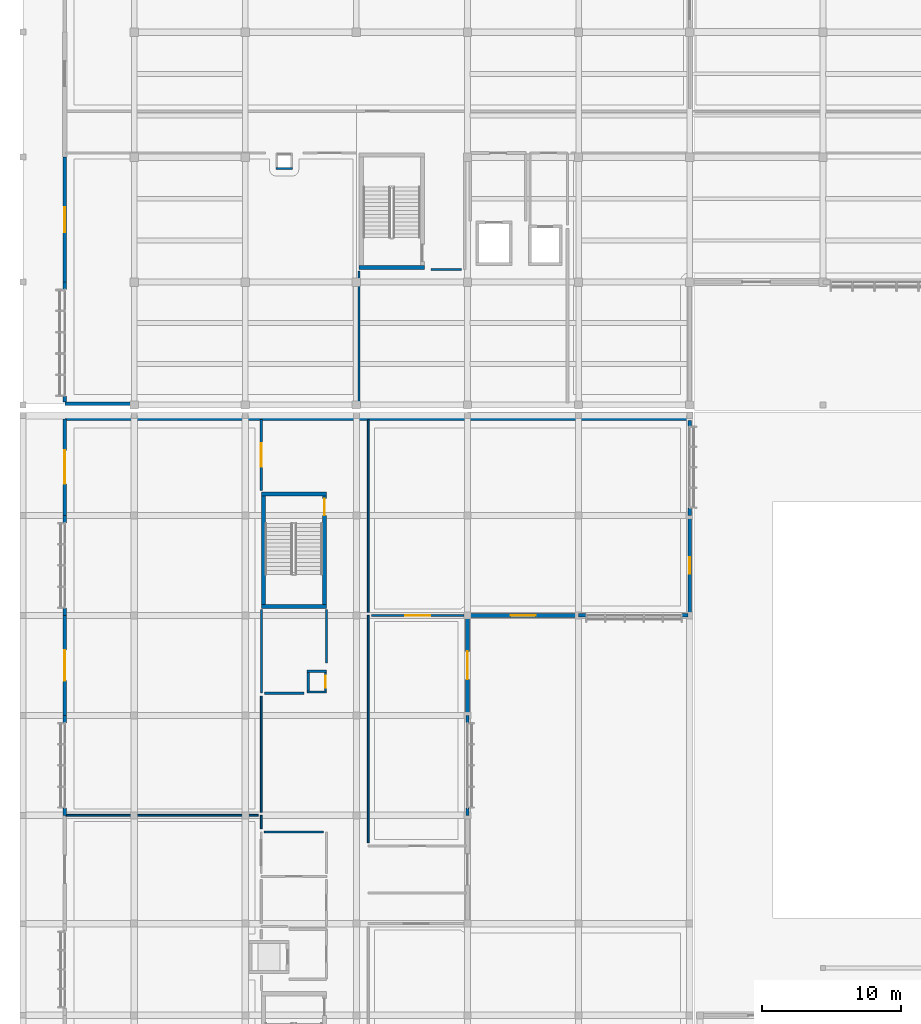
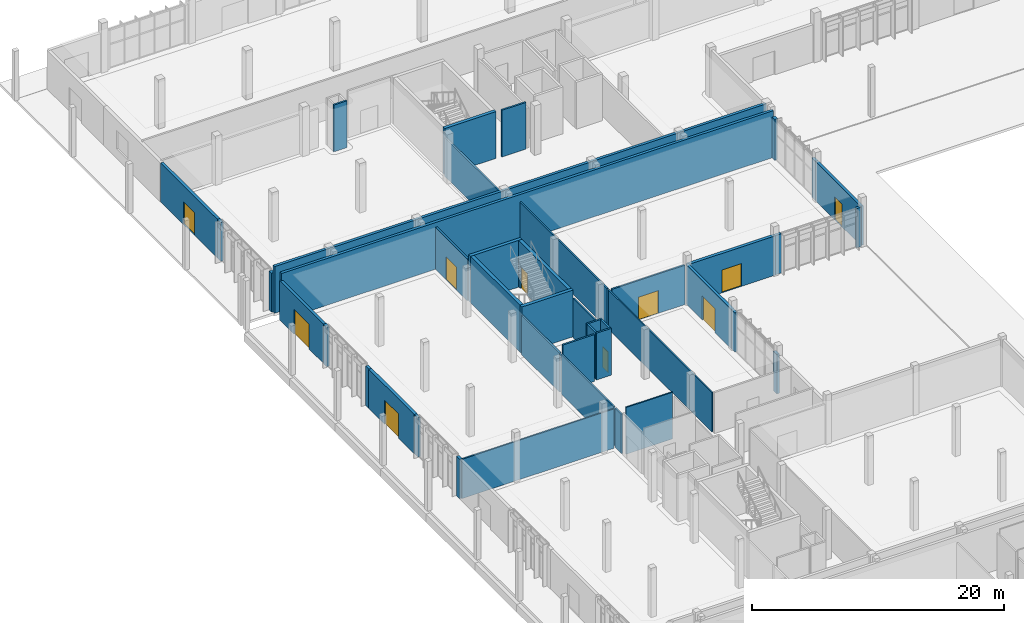
# One storey, part 121 of 151: 43 walls, 10 doors, 10 openings.
"""IFC4 building model written with IfcOpenShell, lengths in metres."""

from ifc_helpers import new_model, si_unit, direction, frame, frame_2d, origin, place, context, subcontext, project, spatial, rectangle, extrude, material, layer, layer_set, type_object, element, fill, save


model = new_model("IFC4")

# Units and contexts
model_context = context("Model", 3, precision=1e-05, world=origin(), true_north=direction((0.0, 1.0)))
body_context = subcontext(model_context, "Body", "Model", "MODEL_VIEW")
ifc_project = project(units=[si_unit("LENGTHUNIT", "METRE"), si_unit("AREAUNIT", "SQUARE_METRE"), si_unit("VOLUMEUNIT", "CUBIC_METRE"), si_unit("PLANEANGLEUNIT", "RADIAN"), si_unit("MASSUNIT", "GRAM", prefix="KILO")], contexts=[model_context])

# Site, building, storey
site_placement = place(None, origin())
site = spatial("IfcSite", under=ifc_project, at=site_placement, CompositionType="ELEMENT")
building_placement = place(site_placement, origin())
building = spatial("IfcBuilding", under=site, at=building_placement, Name="Chiffa Square Polytechnic", CompositionType="ELEMENT")
storey_placement = place(building_placement, origin())
storey = spatial("IfcBuildingStorey", under=building, at=storey_placement, Name="L00", CompositionType="ELEMENT", Elevation=0.0)

# Walls
ifc_material_1 = material(Name="Concrete C40/50", Category="concrete")
ifc_layer_1 = layer(ifc_material_1, 0.300048828125, Name="Concrete C40/50")
ifc_layer_set_1 = layer_set([ifc_layer_1], Name="Concrete C40/50")
wall_type_1 = type_object("IfcWallType", Name="WL-CORE-300", PredefinedType="SHEAR", material=ifc_layer_set_1)
wall_1_placement = place(storey_placement, frame((24.199951171875, 104.85009765625, 0.0), z_axis=(0.0, 0.0, 1.0), x_axis=(1.0, 0.0, 0.0)))
element("IfcWall", 1, at=wall_1_placement, inside=storey, type_object=wall_type_1, Name="Core or enclosure wall WC-CORE-V5A-L00-SOUTH", PredefinedType="SHEAR", context=body_context, shape_type="SweptSolid", body=[
    extrude(rectangle(XDim=4.699951171875, YDim=0.300048828125, at=frame_2d((2.35009765625, 0.0))), origin(), (0.0, 0.0, 1.0), 4.52001953125),
])
for number, where, z_axis, x_axis, name in (
    (2, (17.14990234375, 80.449951171875, 0.0), (0.0, 0.0, 1.0), (1.0, 0.0, 0.0), "Core or enclosure wall WC-CORE-V6B-L00-SOUTH"),
    (3, (17.14990234375, 88.550048828125, 0.0), (0.0, 0.0, 1.0), (1.0, 0.0, 0.0), "Core or enclosure wall WC-CORE-V6B-L00-NORTH"),
):
    element("IfcWall", number, at=place(storey_placement, frame(where, z_axis=z_axis, x_axis=x_axis)), inside=storey, type_object=wall_type_1, Name=name, PredefinedType="SHEAR", context=body_context, shape_type="SweptSolid", body=[
        extrude(rectangle(XDim=4.7001953125, YDim=0.300048828125, at=frame_2d((2.35009765625, 0.0))), origin(), (0.0, 0.0, 1.0), 4.52001953125),
    ])
wall_2_placement = place(storey_placement, frame((17.300048828125, 80.60009765625, 0.0), z_axis=(0.0, 0.0, 1.0), x_axis=(0.0, 1.0, 0.0)))
element("IfcWall", 4, at=wall_2_placement, inside=storey, type_object=wall_type_1, Name="Core or enclosure wall WC-CORE-V6B-L00-WEST", PredefinedType="SHEAR", context=body_context, shape_type="SweptSolid", body=[
    extrude(rectangle(XDim=7.7998046875, YDim=0.300048828125, at=frame_2d((3.89990234375, 0.0))), origin(), (0.0, 0.0, 1.0), 4.52001953125),
])

# Wall, opening, door
wall_3_placement = place(storey_placement, frame((21.699951171875, 80.60009765625, 0.0), z_axis=(0.0, 0.0, 1.0), x_axis=(0.0, 1.0, 0.0)))
wall_3 = element("IfcWall", 5, at=wall_3_placement, inside=storey, type_object=wall_type_1, Name="Core or enclosure wall WC-CORE-V6B-L00-EAST", PredefinedType="SHEAR", context=body_context, shape_type="SweptSolid", body=[
    extrude(rectangle(XDim=7.7998046875, YDim=0.300048828125, at=frame_2d((3.89990234375, 0.0))), origin(), (0.0, 0.0, 1.0), 4.52001953125),
])
opening_1_placement = place(wall_3_placement, frame((6.39990234375, 0.0, 0.0)))
opening_1 = element("IfcOpeningElement", 6, at=opening_1_placement, cuts=wall_3, Name="Opening DS-L00-051", PredefinedType="OPENING", context=body_context, shape_type="SweptSolid", body=[
    extrude(rectangle(XDim=1.199951171875, YDim=2.14990234375, at=frame_2d((0.60009765625, 1.074951171875))), frame((0.0, 0.16015625, 0.0), z_axis=(0.0, -1.0, 0.0), x_axis=(1.0, 0.0, 0.0)), (0.0, 0.0, 1.0), 0.320068359375),
])
ifc_material_2 = material(Name="Fire-rated painted steel leaf", Category="steel")
door_type_1 = type_object("IfcDoorType", Name="DR-STAIR-1200", OperationType="NOTDEFINED", PredefinedType="DOOR", material=ifc_material_2)
door_1_placement = place(opening_1_placement, origin())
door_1 = element("IfcDoor", 7, at=door_1_placement, inside=storey, type_object=door_type_1, Name="Enclosure door DS-L00-051", OperationType="SINGLE_SWING_LEFT", OverallHeight=2.14990234375, OverallWidth=1.199951171875, PredefinedType="DOOR", context=body_context, shape_type="SweptSolid", body=[
    extrude(rectangle(XDim=1.199951171875, YDim=2.14990234375, at=frame_2d((0.60009765625, 1.074951171875))), frame((0.0, 0.02490234375, 0.0), z_axis=(0.0, -1.0, 0.0), x_axis=(1.0, 0.0, 0.0)), (0.0, 0.0, 1.0), 0.050048828125),
])
fill(opening_1, door_1)

# Walls
ifc_material_3 = material(Name="Precast concrete C40/50", Category="concrete")
ifc_layer_2 = layer(ifc_material_3, 0.239990234375, Name="Precast concrete C40/50")
ifc_layer_set_2 = layer_set([ifc_layer_2], Name="Precast concrete C40/50")
wall_type_2 = type_object("IfcWallType", Name="WL-EXT-PC240", PredefinedType="SOLIDWALL", material=ifc_layer_set_2)
for number, where, z_axis, x_axis, name in (
    (8, (32.0, 65.39990234375, 0.0), (0.0, 0.0, 1.0), (0.0, 1.0, 0.0), "Facade column pier V6-L00-0394L"),
    (9, (32.0, 72.06005859375, 0.0), (0.0, 0.0, 1.0), (0.0, 1.0, 0.0), "Facade column pier V6-L00-0394R"),
    (10, (40.0, 79.800048828125, 0.0), (0.0, 0.0, 1.0), (1.0, 0.0, 0.0), "Facade column pier V6-L00-0397L"),
):
    element("IfcWall", number, at=place(storey_placement, frame(where, z_axis=z_axis, x_axis=x_axis)), inside=storey, type_object=wall_type_2, Name=name, PredefinedType="SOLIDWALL", context=body_context, shape_type="SweptSolid", body=[
        extrude(rectangle(XDim=0.5400390625, YDim=0.239990234375, at=frame_2d((0.27001953125, 0.0))), origin(), (0.0, 0.0, 1.0), 3.804931640625),
    ])
wall_4_placement = place(storey_placement, frame((47.4599609375, 79.800048828125, 0.0), z_axis=(0.0, 0.0, 1.0), x_axis=(1.0, 0.0, 0.0)))
element("IfcWall", 11, at=wall_4_placement, inside=storey, type_object=wall_type_2, Name="Facade column pier V6-L00-0397R", PredefinedType="SOLIDWALL", context=body_context, shape_type="SweptSolid", body=[
    extrude(rectangle(XDim=0.41796875, YDim=0.239990234375, at=frame_2d((0.208984375, 0.0))), origin(), (0.0, 0.0, 1.0), 3.804931640625),
])

# Wall, opening, door
wall_5_placement = place(storey_placement, frame((48.0, 79.800048828125, 0.0), z_axis=(0.0, 0.0, 1.0), x_axis=(0.0, 1.0, 0.0)))
wall_5 = element("IfcWall", 12, at=wall_5_placement, inside=storey, type_object=wall_type_2, Name="Exterior wall WE-V6-L00-0398", PredefinedType="SOLIDWALL", context=body_context, shape_type="SweptSolid", body=[
    extrude(rectangle(XDim=7.199951171875, YDim=0.239990234375, at=frame_2d((3.60009765625, 0.0))), origin(), (0.0, 0.0, 1.0), 3.804931640625),
])
opening_2_placement = place(wall_5_placement, frame((3.0, 0.0, 0.0)))
opening_2 = element("IfcOpeningElement", 13, at=opening_2_placement, cuts=wall_5, Name="Opening DE-L00-069", PredefinedType="OPENING", context=body_context, shape_type="SweptSolid", body=[
    extrude(rectangle(XDim=1.199951171875, YDim=2.199951171875, at=frame_2d((0.60009765625, 1.10009765625))), frame((0.0, 0.1298828125, 0.0), z_axis=(0.0, -1.0, 0.0), x_axis=(1.0, 0.0, 0.0)), (0.0, 0.0, 1.0), 0.260009765625),
])
ifc_material_4 = material(Name="Painted galvanized steel", Category="steel")
door_type_2 = type_object("IfcDoorType", Name="DR-EXT-SVC-1200", OperationType="NOTDEFINED", PredefinedType="DOOR", material=ifc_material_4)
door_2_placement = place(opening_2_placement, origin())
door_2 = element("IfcDoor", 14, at=door_2_placement, inside=storey, type_object=door_type_2, Name="Exterior door DE-L00-069", OperationType="SINGLE_SWING_LEFT", OverallHeight=2.199951171875, OverallWidth=1.199951171875, PredefinedType="DOOR", context=body_context, shape_type="SweptSolid", body=[
    extrude(rectangle(XDim=1.199951171875, YDim=2.199951171875, at=frame_2d((0.60009765625, 1.10009765625))), frame((0.0, 0.02490234375, 0.0), z_axis=(0.0, -1.0, 0.0), x_axis=(1.0, 0.0, 0.0)), (0.0, 0.0, 1.0), 0.050048828125),
])
fill(opening_2, door_2)

wall_6_placement = place(storey_placement, frame((3.0, 93.949951171875, 0.0), z_axis=(0.0, 0.0, 1.0), x_axis=(0.0, -1.0, 0.0)))
wall_6 = element("IfcWall", 15, at=wall_6_placement, inside=storey, type_object=wall_type_2, Name="Exterior wall WE-V6-L00-0401", PredefinedType="SOLIDWALL", context=body_context, shape_type="SweptSolid", body=[
    extrude(rectangle(XDim=6.949951171875, YDim=0.239990234375, at=frame_2d((3.47509765625, 0.0))), origin(), (0.0, 0.0, 1.0), 3.804931640625),
])
opening_3_placement = place(wall_6_placement, frame((2.27490234375, 0.0, 0.0)))
opening_3 = element("IfcOpeningElement", 16, at=opening_3_placement, cuts=wall_6, Name="Opening DE-L00-070", PredefinedType="OPENING", context=body_context, shape_type="SweptSolid", body=[
    extrude(rectangle(XDim=2.39990234375, YDim=2.39990234375, at=frame_2d((1.199951171875, 1.199951171875))), frame((0.0, 0.1298828125, 0.0), z_axis=(0.0, -1.0, 0.0), x_axis=(1.0, 0.0, 0.0)), (0.0, 0.0, 1.0), 0.260009765625),
])
ifc_material_5 = material(Name="Aluminium and laminated safety glass", Category="aluminium")
door_type_3 = type_object("IfcDoorType", Name="DR-EXIT-DBL-2400", OperationType="DOUBLE_DOOR_SINGLE_SWING", PredefinedType="DOOR", material=ifc_material_5)
door_3_placement = place(opening_3_placement, origin())
door_3 = element("IfcDoor", 17, at=door_3_placement, inside=storey, type_object=door_type_3, Name="Exterior door DE-L00-070", OperationType="DOUBLE_DOOR_SINGLE_SWING", OverallHeight=2.39990234375, OverallWidth=2.39990234375, PredefinedType="DOOR", context=body_context, shape_type="SweptSolid", body=[
    extrude(rectangle(XDim=2.39990234375, YDim=2.39990234375, at=frame_2d((1.199951171875, 1.199951171875))), frame((0.0, 0.02490234375, 0.0), z_axis=(0.0, -1.0, 0.0), x_axis=(1.0, 0.0, 0.0)), (0.0, 0.0, 1.0), 0.050048828125),
])
fill(opening_3, door_3)

# Walls
for number, where, z_axis, x_axis, name in (
    (18, (3.0, 72.60009765625, 0.0), (0.0, 0.0, 1.0), (0.0, -1.0, 0.0), "Facade column pier V6-L00-0404L"),
    (19, (3.0, 65.93994140625, 0.0), (0.0, 0.0, 1.0), (0.0, -1.0, 0.0), "Facade column pier V6-L00-0404R"),
):
    element("IfcWall", number, at=place(storey_placement, frame(where, z_axis=z_axis, x_axis=x_axis)), inside=storey, type_object=wall_type_2, Name=name, PredefinedType="SOLIDWALL", context=body_context, shape_type="SweptSolid", body=[
        extrude(rectangle(XDim=0.5400390625, YDim=0.239990234375, at=frame_2d((0.27001953125, 0.0))), origin(), (0.0, 0.0, 1.0), 3.804931640625),
    ])

# Wall, opening, door
ifc_layer_3 = layer(ifc_material_3, 0.260009765625, Name="Precast concrete C40/50")
ifc_layer_set_3 = layer_set([ifc_layer_3], Name="Precast concrete C40/50")
wall_type_3 = type_object("IfcWallType", Name="WL-EXT-PC260", PredefinedType="SOLIDWALL", material=ifc_layer_set_3)
wall_7_placement = place(storey_placement, frame((3.0, 112.800048828125, 0.0), z_axis=(0.0, 0.0, 1.0), x_axis=(0.0, -1.0, 0.0)))
wall_7 = element("IfcWall", 20, at=wall_7_placement, inside=storey, type_object=wall_type_3, Name="Exterior wall WE-V5-L00-0255", PredefinedType="SOLIDWALL", context=body_context, shape_type="SweptSolid", body=[
    extrude(rectangle(XDim=9.0, YDim=0.260009765625, at=frame_2d((4.5, 0.0))), origin(), (0.0, 0.0, 1.0), 3.7548828125),
])
opening_4_placement = place(wall_7_placement, frame((3.60009765625, 0.0, 0.0)))
opening_4 = element("IfcOpeningElement", 21, at=opening_4_placement, cuts=wall_7, Name="Opening DE-L00-058", PredefinedType="OPENING", context=body_context, shape_type="SweptSolid", body=[
    extrude(rectangle(XDim=1.800048828125, YDim=2.199951171875, at=frame_2d((0.89990234375, 1.10009765625))), frame((0.0, 0.14013671875, 0.0), z_axis=(0.0, -1.0, 0.0), x_axis=(1.0, 0.0, 0.0)), (0.0, 0.0, 1.0), 0.280029296875),
])
door_type_4 = type_object("IfcDoorType", Name="DR-EXIT-DBL-1800", OperationType="DOUBLE_DOOR_SINGLE_SWING", PredefinedType="DOOR", material=ifc_material_4)
door_4_placement = place(opening_4_placement, origin())
door_4 = element("IfcDoor", 22, at=door_4_placement, inside=storey, type_object=door_type_4, Name="Exterior door DE-L00-058", OperationType="DOUBLE_DOOR_SINGLE_SWING", OverallHeight=2.199951171875, OverallWidth=1.800048828125, PredefinedType="DOOR", context=body_context, shape_type="SweptSolid", body=[
    extrude(rectangle(XDim=1.800048828125, YDim=2.199951171875, at=frame_2d((0.89990234375, 1.10009765625))), frame((0.0, 0.02490234375, 0.0), z_axis=(0.0, -1.0, 0.0), x_axis=(1.0, 0.0, 0.0)), (0.0, 0.0, 1.0), 0.050048828125),
])
fill(opening_4, door_4)

wall_8_placement = place(storey_placement, frame((32.0, 72.60009765625, 0.0), z_axis=(0.0, 0.0, 1.0), x_axis=(0.0, 1.0, 0.0)))
wall_8 = element("IfcWall", 23, at=wall_8_placement, inside=storey, type_object=wall_type_3, Name="Exterior wall WE-V6-L00-0395", PredefinedType="SOLIDWALL", context=body_context, shape_type="SweptSolid", body=[
    extrude(rectangle(XDim=7.199951171875, YDim=0.260009765625, at=frame_2d((3.60009765625, 0.0))), origin(), (0.0, 0.0, 1.0), 3.804931640625),
])
opening_5_placement = place(wall_8_placement, frame((2.60009765625, 0.0, 0.0)))
opening_5 = element("IfcOpeningElement", 24, at=opening_5_placement, cuts=wall_8, Name="Opening DE-L00-067", PredefinedType="OPENING", context=body_context, shape_type="SweptSolid", body=[
    extrude(rectangle(XDim=2.0, YDim=2.300048828125, at=frame_2d((1.0, 1.14990234375))), frame((0.0, 0.14013671875, 0.0), z_axis=(0.0, -1.0, 0.0), x_axis=(1.0, 0.0, 0.0)), (0.0, 0.0, 1.0), 0.280029296875),
])
door_type_5 = type_object("IfcDoorType", Name="DR-EXIT-DBL-2000", OperationType="DOUBLE_DOOR_SINGLE_SWING", PredefinedType="DOOR", material=ifc_material_5)
door_5_placement = place(opening_5_placement, origin())
door_5 = element("IfcDoor", 25, at=door_5_placement, inside=storey, type_object=door_type_5, Name="Exterior door DE-L00-067", OperationType="DOUBLE_DOOR_SINGLE_SWING", OverallHeight=2.300048828125, OverallWidth=2.0, PredefinedType="DOOR", context=body_context, shape_type="SweptSolid", body=[
    extrude(rectangle(XDim=2.0, YDim=2.300048828125, at=frame_2d((1.0, 1.14990234375))), frame((0.0, 0.02490234375, 0.0), z_axis=(0.0, -1.0, 0.0), x_axis=(1.0, 0.0, 0.0)), (0.0, 0.0, 1.0), 0.050048828125),
])
fill(opening_5, door_5)

# Walls
wall_9_placement = place(storey_placement, frame((48.0, 87.0, 0.0), z_axis=(0.0, 0.0, 1.0), x_axis=(0.0, 1.0, 0.0)))
element("IfcWall", 26, at=wall_9_placement, inside=storey, type_object=wall_type_3, Name="Facade column pier V6-L00-0399L", PredefinedType="SOLIDWALL", context=body_context, shape_type="SweptSolid", body=[
    extrude(rectangle(XDim=0.5400390625, YDim=0.260009765625, at=frame_2d((0.27001953125, 0.0))), origin(), (0.0, 0.0, 1.0), 3.804931640625),
])
wall_10_placement = place(storey_placement, frame((48.0, 93.409912109375, 0.0), z_axis=(0.0, 0.0, 1.0), x_axis=(0.0, 1.0, 0.0)))
element("IfcWall", 27, at=wall_10_placement, inside=storey, type_object=wall_type_3, Name="Facade column pier V6-L00-0399R", PredefinedType="SOLIDWALL", context=body_context, shape_type="SweptSolid", body=[
    extrude(rectangle(XDim=0.4130859375, YDim=0.260009765625, at=frame_2d((0.20654296875, 0.0))), origin(), (0.0, 0.0, 1.0), 3.955078125),
])
for number, where, z_axis, x_axis, name in (
    (28, (3.0, 87.0, 0.0), (0.0, 0.0, 1.0), (0.0, -1.0, 0.0), "Facade column pier V6-L00-0402L"),
    (29, (3.0, 80.340087890625, 0.0), (0.0, 0.0, 1.0), (0.0, -1.0, 0.0), "Facade column pier V6-L00-0402R"),
):
    element("IfcWall", number, at=place(storey_placement, frame(where, z_axis=z_axis, x_axis=x_axis)), inside=storey, type_object=wall_type_3, Name=name, PredefinedType="SOLIDWALL", context=body_context, shape_type="SweptSolid", body=[
        extrude(rectangle(XDim=0.5400390625, YDim=0.260009765625, at=frame_2d((0.27001953125, 0.0))), origin(), (0.0, 0.0, 1.0), 3.804931640625),
    ])
ifc_layer_4 = layer(ifc_material_3, 0.280029296875, Name="Precast concrete C40/50")
ifc_layer_set_4 = layer_set([ifc_layer_4], Name="Precast concrete C40/50")
wall_type_4 = type_object("IfcWallType", Name="WL-EXT-PC280", PredefinedType="SOLIDWALL", material=ifc_layer_set_4)
wall_11_placement = place(storey_placement, frame((3.0, 103.800048828125, 0.0), z_axis=(0.0, 0.0, 1.0), x_axis=(0.0, -1.0, 0.0)))
element("IfcWall", 30, at=wall_11_placement, inside=storey, type_object=wall_type_4, Name="Facade column pier V5-L00-0256L", PredefinedType="SOLIDWALL", context=body_context, shape_type="SweptSolid", body=[
    extrude(rectangle(XDim=0.5400390625, YDim=0.280029296875, at=frame_2d((0.27001953125, 0.0))), origin(), (0.0, 0.0, 1.0), 3.7548828125),
])
wall_12_placement = place(storey_placement, frame((3.0, 95.590087890625, 0.0), z_axis=(0.0, 0.0, 1.0), x_axis=(0.0, -1.0, 0.0)))
element("IfcWall", 31, at=wall_12_placement, inside=storey, type_object=wall_type_4, Name="Facade column pier V5-L00-0256R", PredefinedType="SOLIDWALL", context=body_context, shape_type="SweptSolid", body=[
    extrude(rectangle(XDim=0.4130859375, YDim=0.280029296875, at=frame_2d((0.20654296875, 0.0))), origin(), (0.0, 0.0, 1.0), 3.7548828125),
])

# Wall, opening, door
wall_13_placement = place(storey_placement, frame((32.0, 79.800048828125, 0.0), z_axis=(0.0, 0.0, 1.0), x_axis=(1.0, 0.0, 0.0)))
wall_13 = element("IfcWall", 32, at=wall_13_placement, inside=storey, type_object=wall_type_4, Name="Exterior wall WE-V6-L00-0396", PredefinedType="SOLIDWALL", context=body_context, shape_type="SweptSolid", body=[
    extrude(rectangle(XDim=8.0, YDim=0.280029296875, at=frame_2d((4.0, 0.0))), origin(), (0.0, 0.0, 1.0), 3.804931640625),
])
opening_6_placement = place(wall_13_placement, frame((3.10009765625, 0.0, 0.0)))
opening_6 = element("IfcOpeningElement", 33, at=opening_6_placement, cuts=wall_13, Name="Opening DE-L00-068", PredefinedType="OPENING", context=body_context, shape_type="SweptSolid", body=[
    extrude(rectangle(XDim=1.800048828125, YDim=2.199951171875, at=frame_2d((0.89990234375, 1.10009765625))), frame((0.0, 0.14990234375, 0.0), z_axis=(0.0, -1.0, 0.0), x_axis=(1.0, 0.0, 0.0)), (0.0, 0.0, 1.0), 0.300048828125),
])
door_6_placement = place(opening_6_placement, origin())
door_6 = element("IfcDoor", 34, at=door_6_placement, inside=storey, type_object=door_type_4, Name="Exterior door DE-L00-068", OperationType="DOUBLE_DOOR_SINGLE_SWING", OverallHeight=2.199951171875, OverallWidth=1.800048828125, PredefinedType="DOOR", context=body_context, shape_type="SweptSolid", body=[
    extrude(rectangle(XDim=1.800048828125, YDim=2.199951171875, at=frame_2d((0.89990234375, 1.10009765625))), frame((0.0, 0.02490234375, 0.0), z_axis=(0.0, -1.0, 0.0), x_axis=(1.0, 0.0, 0.0)), (0.0, 0.0, 1.0), 0.050048828125),
])
fill(opening_6, door_6)

wall_14_placement = place(storey_placement, frame((3.0, 79.800048828125, 0.0), z_axis=(0.0, 0.0, 1.0), x_axis=(0.0, -1.0, 0.0)))
wall_14 = element("IfcWall", 35, at=wall_14_placement, inside=storey, type_object=wall_type_4, Name="Exterior wall WE-V6-L00-0403", PredefinedType="SOLIDWALL", context=body_context, shape_type="SweptSolid", body=[
    extrude(rectangle(XDim=7.199951171875, YDim=0.280029296875, at=frame_2d((3.60009765625, 0.0))), origin(), (0.0, 0.0, 1.0), 3.804931640625),
])
opening_7_placement = place(wall_14_placement, frame((2.5, 0.0, 0.0)))
opening_7 = element("IfcOpeningElement", 36, at=opening_7_placement, cuts=wall_14, Name="Opening DE-L00-071", PredefinedType="OPENING", context=body_context, shape_type="SweptSolid", body=[
    extrude(rectangle(XDim=2.199951171875, YDim=2.35009765625, at=frame_2d((1.10009765625, 1.175048828125))), frame((0.0, 0.14990234375, 0.0), z_axis=(0.0, -1.0, 0.0), x_axis=(1.0, 0.0, 0.0)), (0.0, 0.0, 1.0), 0.300048828125),
])
door_type_6 = type_object("IfcDoorType", Name="DR-EXIT-DBL-2200", OperationType="DOUBLE_DOOR_SINGLE_SWING", PredefinedType="DOOR", material=ifc_material_5)
door_7_placement = place(opening_7_placement, origin())
door_7 = element("IfcDoor", 37, at=door_7_placement, inside=storey, type_object=door_type_6, Name="Exterior door DE-L00-071", OperationType="DOUBLE_DOOR_SINGLE_SWING", OverallHeight=2.35009765625, OverallWidth=2.199951171875, PredefinedType="DOOR", context=body_context, shape_type="SweptSolid", body=[
    extrude(rectangle(XDim=2.199951171875, YDim=2.35009765625, at=frame_2d((1.10009765625, 1.175048828125))), frame((0.0, 0.02490234375, 0.0), z_axis=(0.0, -1.0, 0.0), x_axis=(1.0, 0.0, 0.0)), (0.0, 0.0, 1.0), 0.050048828125),
])
fill(opening_7, door_7)

# Walls
ifc_material_6 = material(Name="Gypsum board on steel stud", Category="steel")
ifc_layer_5 = layer(ifc_material_6, 0.125, Name="Gypsum board on steel stud")
ifc_layer_set_5 = layer_set([ifc_layer_5], Name="Gypsum board on steel stud")
wall_type_5 = type_object("IfcWallType", Name="WL-PART-125", PredefinedType="PARTITIONING", material=ifc_layer_set_5)
wall_15_placement = place(storey_placement, frame((24.85009765625, 63.419921875, 0.0), z_axis=(0.0, 0.0, 1.0), x_axis=(0.0, 1.0, 0.0)))
element("IfcWall", 38, at=wall_15_placement, inside=storey, type_object=wall_type_5, Name="Interior partition WP-V6-L00-0143", PredefinedType="PARTITIONING", context=body_context, shape_type="SweptSolid", body=[
    extrude(rectangle(XDim=16.380126953125, YDim=0.125, at=frame_2d((8.18994140625, 0.0))), origin(), (0.0, 0.0, 1.0), 3.804931640625),
])
wall_16_placement = place(storey_placement, frame((3.054931640625, 65.39990234375, 0.0), z_axis=(0.0, 0.0, 1.0), x_axis=(1.0, 0.0, 0.0)))
element("IfcWall", 39, at=wall_16_placement, inside=storey, type_object=wall_type_5, Name="Interior partition WP-V6-L00-0182", PredefinedType="PARTITIONING", context=body_context, shape_type="SweptSolid", body=[
    extrude(rectangle(XDim=13.875, YDim=0.125, at=frame_2d((6.9375, 0.0))), origin(), (0.0, 0.0, 1.0), 3.804931640625),
])
ifc_layer_6 = layer(ifc_material_6, 0.135009765625, Name="Gypsum board on steel stud")
ifc_layer_set_6 = layer_set([ifc_layer_6], Name="Gypsum board on steel stud")
wall_type_6 = type_object("IfcWallType", Name="WL-PART-135", PredefinedType="PARTITIONING", material=ifc_layer_set_6)
wall_17_placement = place(storey_placement, frame((24.85009765625, 80.02001953125, 0.0), z_axis=(0.0, 0.0, 1.0), x_axis=(0.0, 1.0, 0.0)))
element("IfcWall", 40, at=wall_17_placement, inside=storey, type_object=wall_type_6, Name="Interior partition WP-V6-L00-0163", PredefinedType="PARTITIONING", context=body_context, shape_type="SweptSolid", body=[
    extrude(rectangle(XDim=13.875, YDim=0.135009765625, at=frame_2d((6.9375, 0.0))), origin(), (0.0, 0.0, 1.0), 3.804931640625),
])
wall_18_placement = place(storey_placement, frame((17.14990234375, 64.419921875, 0.0), z_axis=(0.0, 0.0, 1.0), x_axis=(0.0, 1.0, 0.0)))
element("IfcWall", 41, at=wall_18_placement, inside=storey, type_object=wall_type_6, Name="Interior partition WP-V6-L00-0178", PredefinedType="PARTITIONING", context=body_context, shape_type="SweptSolid", body=[
    extrude(rectangle(XDim=0.97998046875, YDim=0.135009765625, at=frame_2d((0.489990234375, 0.0))), origin(), (0.0, 0.0, 1.0), 3.804931640625),
])
wall_19_placement = place(storey_placement, frame((17.14990234375, 65.6201171875, 0.0), z_axis=(0.0, 0.0, 1.0), x_axis=(0.0, 1.0, 0.0)))
element("IfcWall", 42, at=wall_19_placement, inside=storey, type_object=wall_type_6, Name="Interior partition WP-V6-L00-0184", PredefinedType="PARTITIONING", context=body_context, shape_type="SweptSolid", body=[
    extrude(rectangle(XDim=8.35986328125, YDim=0.135009765625, at=frame_2d((4.179931640625, 0.0))), origin(), (0.0, 0.0, 1.0), 3.804931640625),
])

# Wall, opening, door
ifc_layer_7 = layer(ifc_material_6, 0.14501953125, Name="Gypsum board on steel stud")
ifc_layer_set_7 = layer_set([ifc_layer_7], Name="Gypsum board on steel stud")
wall_type_7 = type_object("IfcWallType", Name="WL-PART-145", PredefinedType="PARTITIONING", material=ifc_layer_set_7)
wall_20_placement = place(storey_placement, frame((25.070068359375, 79.800048828125, 0.0), z_axis=(0.0, 0.0, 1.0), x_axis=(1.0, 0.0, 0.0)))
wall_20 = element("IfcWall", 43, at=wall_20_placement, inside=storey, type_object=wall_type_7, Name="Interior partition WP-V6-L00-0144", PredefinedType="PARTITIONING", context=body_context, shape_type="SweptSolid", body=[
    extrude(rectangle(XDim=6.68994140625, YDim=0.14501953125, at=frame_2d((3.344970703125, 0.0))), origin(), (0.0, 0.0, 1.0), 3.804931640625),
])
opening_8_placement = place(wall_20_placement, frame((2.445068359375, 0.0, 0.0)))
opening_8 = element("IfcOpeningElement", 44, at=opening_8_placement, cuts=wall_20, Name="Opening DI-L00-092", PredefinedType="OPENING", context=body_context, shape_type="SweptSolid", body=[
    extrude(rectangle(XDim=1.800048828125, YDim=2.199951171875, at=frame_2d((0.89990234375, 1.10009765625))), frame((0.0, 0.08251953125, 0.0), z_axis=(0.0, -1.0, 0.0), x_axis=(1.0, 0.0, 0.0)), (0.0, 0.0, 1.0), 0.1650390625),
])
ifc_material_7 = material(Name="Solid oak fire door pair")
door_type_7 = type_object("IfcDoorType", Name="DR-CORR-DBL-1800", OperationType="DOUBLE_DOOR_SINGLE_SWING", PredefinedType="DOOR", material=ifc_material_7)
door_8_placement = place(opening_8_placement, origin())
door_8 = element("IfcDoor", 45, at=door_8_placement, inside=storey, type_object=door_type_7, Name="Interior room door DI-L00-092", OperationType="DOUBLE_DOOR_SINGLE_SWING", OverallHeight=2.199951171875, OverallWidth=1.800048828125, PredefinedType="DOOR", context=body_context, shape_type="SweptSolid", body=[
    extrude(rectangle(XDim=1.800048828125, YDim=2.199951171875, at=frame_2d((0.89990234375, 1.10009765625))), frame((0.0, 0.02490234375, 0.0), z_axis=(0.0, -1.0, 0.0), x_axis=(1.0, 0.0, 0.0)), (0.0, 0.0, 1.0), 0.050048828125),
])
fill(opening_8, door_8)

# Walls
wall_21_placement = place(storey_placement, frame((24.199951171875, 95.10498046875, 0.0), z_axis=(0.0, 0.0, 1.0), x_axis=(0.0, 1.0, 0.0)))
element("IfcWall", 46, at=wall_21_placement, inside=storey, type_object=wall_type_7, Name="Interior partition WP-V5-L00-0177", PredefinedType="PARTITIONING", context=body_context, shape_type="SweptSolid", body=[
    extrude(rectangle(XDim=9.505126953125, YDim=0.14501953125, at=frame_2d((4.75244140625, 0.0))), origin(), (0.0, 0.0, 1.0), 3.7548828125),
])
wall_22_placement = place(storey_placement, frame((17.14990234375, 74.199951171875, 0.0), z_axis=(0.0, 0.0, 1.0), x_axis=(0.0, 1.0, 0.0)))
element("IfcWall", 47, at=wall_22_placement, inside=storey, type_object=wall_type_7, Name="Interior partition WP-V6-L00-0183", PredefinedType="PARTITIONING", context=body_context, shape_type="SweptSolid", body=[
    extrude(rectangle(XDim=6.010009765625, YDim=0.14501953125, at=frame_2d((3.0048828125, 0.0))), origin(), (0.0, 0.0, 1.0), 3.804931640625),
])
ifc_material_8 = material(Name="Gypsum board on acoustic steel stud", Category="steel")
ifc_layer_8 = layer(ifc_material_8, 0.159912109375, Name="Gypsum board on acoustic steel stud")
ifc_layer_set_8 = layer_set([ifc_layer_8], Name="Gypsum board on acoustic steel stud")
wall_type_8 = type_object("IfcWallType", Name="WL-PART-EI60-160", PredefinedType="PARTITIONING", material=ifc_layer_set_8)
wall_23_placement = place(storey_placement, frame((18.199951171875, 111.97998046875, 0.0), z_axis=(0.0, 0.0, 1.0), x_axis=(1.0, 0.0, 0.0)))
element("IfcWall", 48, at=wall_23_placement, inside=storey, type_object=wall_type_8, Name="Core or enclosure wall WP-RSR-V5-W-L00-SOUTH", PredefinedType="PARTITIONING", context=body_context, shape_type="SweptSolid", body=[
    extrude(rectangle(XDim=1.199951171875, YDim=0.159912109375, at=frame_2d((0.60009765625, 0.0))), origin(), (0.0, 0.0, 1.0), 4.52001953125),
])
for number, where, z_axis, x_axis, name in (
    (49, (20.449951171875, 74.280029296875, 0.0), (0.0, 0.0, 1.0), (1.0, 0.0, 0.0), "Core or enclosure wall WP-RSR-V6-N-L00-SOUTH"),
    (50, (20.449951171875, 75.77001953125, 0.0), (0.0, 0.0, 1.0), (1.0, 0.0, 0.0), "Core or enclosure wall WP-RSR-V6-N-L00-NORTH"),
):
    element("IfcWall", number, at=place(storey_placement, frame(where, z_axis=z_axis, x_axis=x_axis)), inside=storey, type_object=wall_type_8, Name=name, PredefinedType="PARTITIONING", context=body_context, shape_type="SweptSolid", body=[
        extrude(rectangle(XDim=1.400146484375, YDim=0.159912109375, at=frame_2d((0.7001953125, 0.0))), origin(), (0.0, 0.0, 1.0), 4.52001953125),
    ])
wall_24_placement = place(storey_placement, frame((20.530029296875, 74.360107421875, 0.0), z_axis=(0.0, 0.0, 1.0), x_axis=(0.0, 1.0, 0.0)))
element("IfcWall", 51, at=wall_24_placement, inside=storey, type_object=wall_type_8, Name="Core or enclosure wall WP-RSR-V6-N-L00-WEST", PredefinedType="PARTITIONING", context=body_context, shape_type="SweptSolid", body=[
    extrude(rectangle(XDim=1.329833984375, YDim=0.159912109375, at=frame_2d((0.6650390625, 0.0))), origin(), (0.0, 0.0, 1.0), 4.52001953125),
])

# Wall, opening, door
wall_25_placement = place(storey_placement, frame((21.77001953125, 74.360107421875, 0.0), z_axis=(0.0, 0.0, 1.0), x_axis=(0.0, 1.0, 0.0)))
wall_25 = element("IfcWall", 52, at=wall_25_placement, inside=storey, type_object=wall_type_8, Name="Core or enclosure wall WP-RSR-V6-N-L00-EAST", PredefinedType="PARTITIONING", context=body_context, shape_type="SweptSolid", body=[
    extrude(rectangle(XDim=1.329833984375, YDim=0.159912109375, at=frame_2d((0.6650390625, 0.0))), origin(), (0.0, 0.0, 1.0), 4.52001953125),
])
opening_9_placement = place(wall_25_placement, frame((0.239990234375, 0.0, 0.0)))
opening_9 = element("IfcOpeningElement", 53, at=opening_9_placement, cuts=wall_25, Name="Opening DI-L00-R22", PredefinedType="OPENING", context=body_context, shape_type="SweptSolid", body=[
    extrude(rectangle(XDim=0.85009765625, YDim=2.02001953125, at=frame_2d((0.425048828125, 1.010009765625))), frame((0.0, 0.08984375, 0.0), z_axis=(0.0, -1.0, 0.0), x_axis=(1.0, 0.0, 0.0)), (0.0, 0.0, 1.0), 0.179931640625),
])
ifc_material_9 = material(Name="Fire-rated steel riser access door", Category="steel")
door_type_8 = type_object("IfcDoorType", Name="DR-RISER-850", OperationType="NOTDEFINED", PredefinedType="DOOR", material=ifc_material_9)
door_9_placement = place(opening_9_placement, origin())
door_9 = element("IfcDoor", 54, at=door_9_placement, inside=storey, type_object=door_type_8, Name="Enclosure door DI-L00-R22", OperationType="SINGLE_SWING_RIGHT", OverallHeight=2.02001953125, OverallWidth=0.85009765625, PredefinedType="DOOR", context=body_context, shape_type="SweptSolid", body=[
    extrude(rectangle(XDim=0.85009765625, YDim=2.02001953125, at=frame_2d((0.425048828125, 1.010009765625))), frame((0.0, 0.02490234375, 0.0), z_axis=(0.0, -1.0, 0.0), x_axis=(1.0, 0.0, 0.0)), (0.0, 0.0, 1.0), 0.050048828125),
])
fill(opening_9, door_9)

wall_26_placement = place(storey_placement, frame((17.14990234375, 88.7900390625, 0.0), z_axis=(0.0, 0.0, 1.0), x_axis=(0.0, 1.0, 0.0)))
wall_26 = element("IfcWall", 55, at=wall_26_placement, inside=storey, type_object=wall_type_8, Name="Interior partition WP-V6-L00-0157", PredefinedType="PARTITIONING", context=body_context, shape_type="SweptSolid", body=[
    extrude(rectangle(XDim=5.10498046875, YDim=0.159912109375, at=frame_2d((2.552490234375, 0.0))), origin(), (0.0, 0.0, 1.0), 4.06494140625),
])
opening_10_placement = place(wall_26_placement, frame((1.701904296875, 0.0, 0.0)))
opening_10 = element("IfcOpeningElement", 56, at=opening_10_placement, cuts=wall_26, Name="Opening DI-L00-096", PredefinedType="OPENING", context=body_context, shape_type="SweptSolid", body=[
    extrude(rectangle(XDim=1.699951171875, YDim=2.199951171875, at=frame_2d((0.85009765625, 1.10009765625))), frame((0.0, 0.08984375, 0.0), z_axis=(0.0, -1.0, 0.0), x_axis=(1.0, 0.0, 0.0)), (0.0, 0.0, 1.0), 0.179931640625),
])
ifc_material_10 = material(Name="Steel-faced workshop double door", Category="steel")
door_type_9 = type_object("IfcDoorType", Name="DR-WKS-DBL-1700", OperationType="DOUBLE_DOOR_SINGLE_SWING", PredefinedType="DOOR", material=ifc_material_10)
door_10_placement = place(opening_10_placement, origin())
door_10 = element("IfcDoor", 57, at=door_10_placement, inside=storey, type_object=door_type_9, Name="Interior room door DI-L00-096", OperationType="DOUBLE_DOOR_SINGLE_SWING", OverallHeight=2.199951171875, OverallWidth=1.699951171875, PredefinedType="DOOR", context=body_context, shape_type="SweptSolid", body=[
    extrude(rectangle(XDim=1.699951171875, YDim=2.199951171875, at=frame_2d((0.85009765625, 1.10009765625))), frame((0.0, 0.02490234375, 0.0), z_axis=(0.0, -1.0, 0.0), x_axis=(1.0, 0.0, 0.0)), (0.0, 0.0, 1.0), 0.050048828125),
])
fill(opening_10, door_10)

# Walls
wall_27_placement = place(storey_placement, frame((29.365966796875, 104.699951171875, 0.0), z_axis=(0.0, 0.0, 1.0), x_axis=(1.0, 0.0, 0.0)))
element("IfcWall", 58, at=wall_27_placement, inside=storey, type_object=wall_type_8, Name="Interior partition WP-V5-L00-0213", PredefinedType="PARTITIONING", context=body_context, shape_type="SweptSolid", body=[
    extrude(rectangle(XDim=2.214111328125, YDim=0.159912109375, at=frame_2d((1.10693359375, 0.0))), origin(), (0.0, 0.0, 1.0), 4.52001953125),
])
wall_28_placement = place(storey_placement, frame((17.3701171875, 74.199951171875, 0.0), z_axis=(0.0, 0.0, 1.0), x_axis=(1.0, 0.0, 0.0)))
element("IfcWall", 59, at=wall_28_placement, inside=storey, type_object=wall_type_8, Name="Interior partition WP-V6-L00-0219", PredefinedType="PARTITIONING", context=body_context, shape_type="SweptSolid", body=[
    extrude(rectangle(XDim=2.85400390625, YDim=0.159912109375, at=frame_2d((1.427001953125, 0.0))), origin(), (0.0, 0.0, 1.0), 4.52001953125),
])
wall_29_placement = place(storey_placement, frame((21.85009765625, 76.37109375, 0.0), z_axis=(0.0, 0.0, 1.0), x_axis=(0.0, 1.0, 0.0)))
element("IfcWall", 60, at=wall_29_placement, inside=storey, type_object=wall_type_8, Name="Interior partition WP-V6-L00-0220", PredefinedType="PARTITIONING", context=body_context, shape_type="SweptSolid", body=[
    extrude(rectangle(XDim=3.8388671875, YDim=0.159912109375, at=frame_2d((1.91943359375, 0.0))), origin(), (0.0, 0.0, 1.0), 3.804931640625),
])
ifc_material_11 = material(Name="Moisture-resistant board partition")
ifc_layer_9 = layer(ifc_material_11, 0.1201171875, Name="Moisture-resistant board partition")
ifc_layer_set_9 = layer_set([ifc_layer_9], Name="Moisture-resistant board partition")
wall_type_9 = type_object("IfcWallType", Name="WL-PART-WC-120", PredefinedType="PARTITIONING", material=ifc_layer_set_9)
wall_30_placement = place(storey_placement, frame((17.3701171875, 64.199951171875, 0.0), z_axis=(0.0, 0.0, 1.0), x_axis=(1.0, 0.0, 0.0)))
element("IfcWall", 61, at=wall_30_placement, inside=storey, type_object=wall_type_9, Name="Interior partition WP-V6-L00-0098", PredefinedType="PARTITIONING", context=body_context, shape_type="SweptSolid", body=[
    extrude(rectangle(XDim=4.259765625, YDim=0.1201171875, at=frame_2d((2.1298828125, 0.0))), origin(), (0.0, 0.0, 1.0), 4.52001953125),
])
ifc_material_12 = material(Name="Concrete C35/45", Category="concrete")
ifc_layer_10 = layer(ifc_material_12, 0.25, Name="Concrete C35/45")
ifc_layer_set_10 = layer_set([ifc_layer_10], Name="Concrete C35/45")
wall_type_10 = type_object("IfcWallType", Name="WL-SJ-250", PredefinedType="SHEAR", material=ifc_layer_set_10)
for number, where, z_axis, x_axis, name in (
    (62, (3.0, 95.050048828125, 0.0), (0.0, 0.0, 1.0), (1.0, 0.0, 0.0), "Seismic-joint fire wall WE-V5-L00-0221"),
    (63, (48.0, 93.949951171875, 0.0), (0.0, 0.0, 1.0), (-1.0, 0.0, 0.0), "Seismic-joint fire wall WE-V6-L00-0400"),
):
    element("IfcWall", number, at=place(storey_placement, frame(where, z_axis=z_axis, x_axis=x_axis)), inside=storey, type_object=wall_type_10, Name=name, PredefinedType="SHEAR", context=body_context, shape_type="SweptSolid", body=[
        extrude(rectangle(XDim=45.0, YDim=0.25, at=frame_2d((22.5, 0.0))), origin(), (0.0, 0.0, 1.0), 4.52001953125),
    ])

save(model, "model.ifc")
